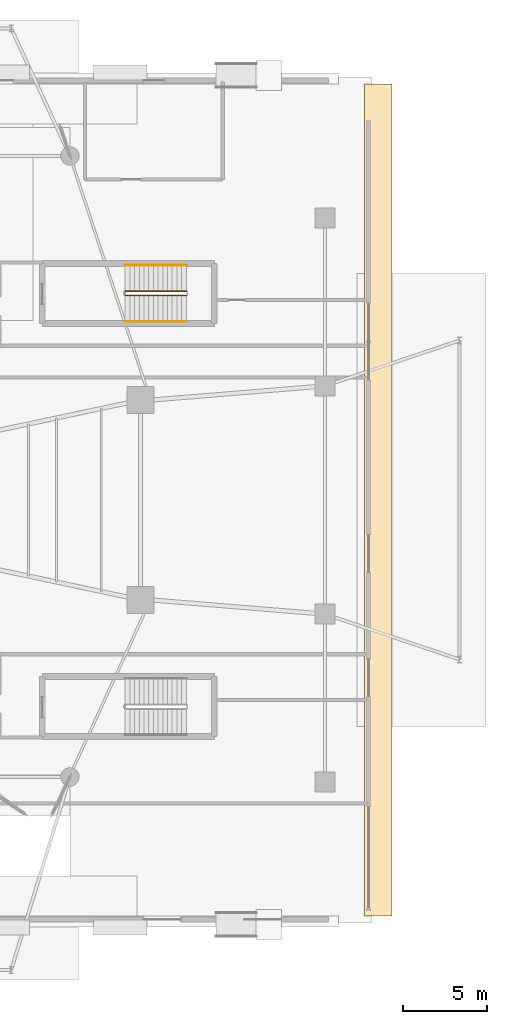
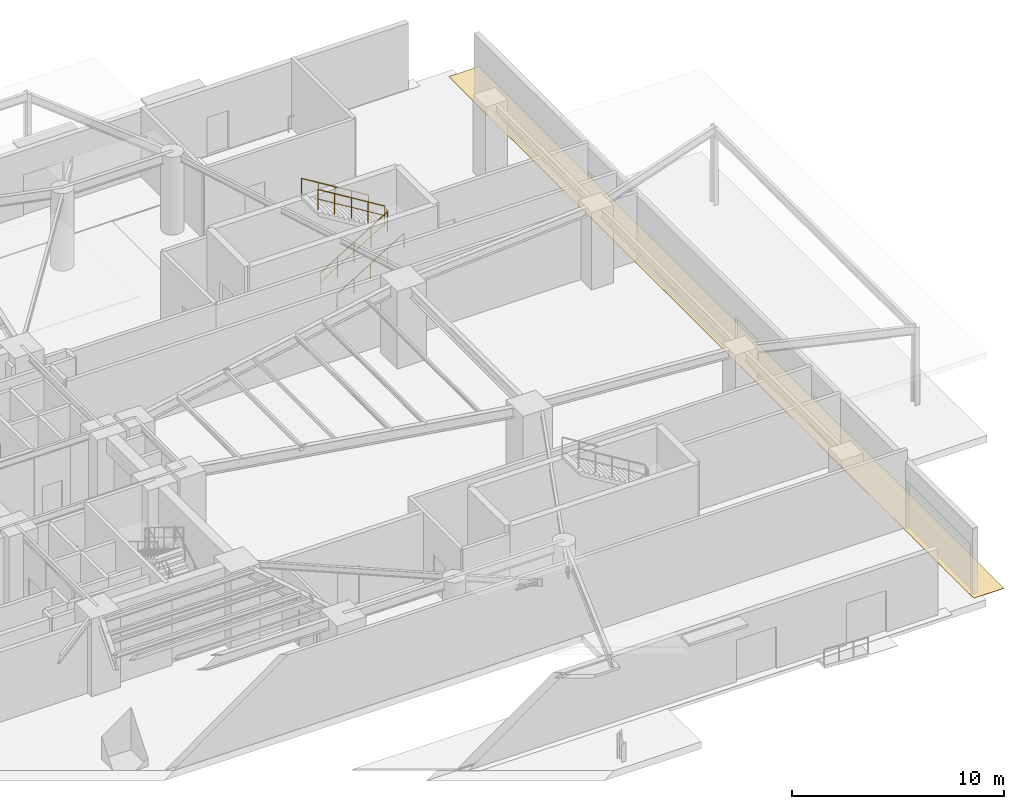
# One storey, part 29 of 31: 4 railings, 1 covering.
"""IFC4 building model written with IfcOpenShell, lengths in metres."""

from ifc_helpers import new_model, si_unit, direction, frame, origin, origin_2d, place, context, subcontext, project, spatial, polyline, circle, outline, extrude, material, layer, layer_set, type_object, element, save


model = new_model("IFC4")

# Units and contexts
model_context = context("Model", 3, precision=1e-05, world=origin(), true_north=direction((0.0, 1.0)))
body_context = subcontext(model_context, "Body", "Model", "MODEL_VIEW")
ifc_project = project(units=[si_unit("LENGTHUNIT", "METRE"), si_unit("AREAUNIT", "SQUARE_METRE"), si_unit("VOLUMEUNIT", "CUBIC_METRE"), si_unit("PLANEANGLEUNIT", "RADIAN"), si_unit("MASSUNIT", "GRAM", prefix="KILO")], contexts=[model_context])

# Site, building, storey
site_placement = place(None, origin())
site = spatial("IfcSite", under=ifc_project, at=site_placement, CompositionType="ELEMENT")
building_placement = place(site_placement, origin())
building = spatial("IfcBuilding", under=site, at=building_placement, Name="Sahyath Konkavel Grand Hotel", CompositionType="ELEMENT")
storey_placement = place(building_placement, origin())
storey = spatial("IfcBuildingStorey", under=building, at=storey_placement, Name="L00", CompositionType="ELEMENT", Elevation=0.0)

# Covering
ifc_material_1 = material(Name="Honed Deccan Basalt and Warm Sandstone Flooring", Category="masonry")
ifc_layer = layer(ifc_material_1, 0.02001953125)
ifc_layer_set = layer_set([ifc_layer], Name="Honed Deccan Basalt and Warm Sandstone Flooring")
covering_type = type_object("IfcCoveringType", Name="COV-STONE-FLR", PredefinedType="FLOORING", material=ifc_layer_set)
covering_placement = place(storey_placement, frame((0.0, 0.0, -0.02001953125)))
element("IfcCovering", 1, at=covering_placement, inside=storey, type_object=covering_type, Name="L00 Exterior Sandstone Exit Apron East-Apron", PredefinedType="FLOORING", context=body_context, shape_type="SweptSolid", body=[
    extrude(outline(polyline([(35.550048828125, -24.800048828125), (37.199951171875, -24.800048828125), (37.199951171875, 24.800048828125), (35.550048828125, 24.800048828125), (35.550048828125, -24.800048828125)])), origin(), (0.0, 0.0, 1.0), 0.02001953125),
])

# Railings
ifc_material_2 = material(Name="Steel E350", Category="steel")
railing_type_1 = type_object("IfcRailingType", Name="RLG-STAIR-GRD", PredefinedType="GUARDRAIL", material=ifc_material_2)
railing_1_placement = place(storey_placement, frame((21.2900390625, 12.179931640625, 0.17138671875)))
element("IfcRailing", 2, at=railing_1_placement, inside=storey, type_object=railing_type_1, Name="L00 ST-P2 stair guard 1", PredefinedType="GUARDRAIL", context=body_context, shape_type="SweptSolid", body=[
    extrude(circle(Radius=0.02392578125, at=origin_2d()), frame((0.001708984375, 0.0, 1.177001953125), z_axis=(0.852850264322, 0.0, 0.5221555579), x_axis=(0.0, 1.0, 0.0)), (0.0, 0.0, 1.0), 4.263916015625),
    extrude(circle(Radius=0.01416015625, at=origin_2d()), frame((0.001708984375, 0.0, 0.625), z_axis=(0.852850264322, 0.0, 0.5221555579), x_axis=(0.0, 1.0, 0.0)), (0.0, 0.0, 1.0), 4.263916015625),
    extrude(circle(Radius=0.02099609375, at=origin_2d()), origin(), (0.0, 0.0, 1.0), 1.15185546875),
    extrude(circle(Radius=0.02099609375, at=origin_2d()), frame((0.909912109375, 0.0, 0.55712890625)), (0.0, 0.0, 1.0), 1.15185546875),
    extrude(circle(Radius=0.02099609375, at=origin_2d()), frame((1.81982421875, 0.0, 1.1142578125)), (0.0, 0.0, 1.0), 1.15185546875),
    extrude(circle(Radius=0.02099609375, at=origin_2d()), frame((2.72998046875, 0.0, 1.67138671875)), (0.0, 0.0, 1.0), 1.15185546875),
    extrude(circle(Radius=0.02099609375, at=origin_2d()), frame((3.639892578125, 0.0, 2.228515625)), (0.0, 0.0, 1.0), 1.15185546875),
])
railing_2_placement = place(storey_placement, frame((24.929931640625, 12.43994140625, 2.571533203125)))
element("IfcRailing", 3, at=railing_2_placement, inside=storey, type_object=railing_type_1, Name="L00 ST-P2 stair guard 3", PredefinedType="GUARDRAIL", context=body_context, shape_type="SweptSolid", body=[
    extrude(circle(Radius=0.02392578125, at=origin_2d()), frame((-0.001708984375, 0.0, 1.177001953125), z_axis=(-0.852850264322, 0.0, 0.5221555579), x_axis=(0.0, -1.0, 0.0)), (0.0, 0.0, 1.0), 4.263916015625),
    extrude(circle(Radius=0.01416015625, at=origin_2d()), frame((-0.001708984375, 0.0, 0.625), z_axis=(-0.852850264322, 0.0, 0.5221555579), x_axis=(0.0, -1.0, 0.0)), (0.0, 0.0, 1.0), 4.263916015625),
    extrude(circle(Radius=0.02099609375, at=origin_2d()), origin(), (0.0, 0.0, 1.0), 1.15185546875),
    extrude(circle(Radius=0.02099609375, at=origin_2d()), frame((-0.909912109375, 0.0, 0.55712890625)), (0.0, 0.0, 1.0), 1.15185546875),
    extrude(circle(Radius=0.02099609375, at=origin_2d()), frame((-1.81982421875, 0.0, 1.1142578125)), (0.0, 0.0, 1.0), 1.15185546875),
    extrude(circle(Radius=0.02099609375, at=origin_2d()), frame((-2.72998046875, 0.0, 1.67138671875)), (0.0, 0.0, 1.0), 1.15185546875),
    extrude(circle(Radius=0.02099609375, at=origin_2d()), frame((-3.639892578125, 0.0, 2.228515625)), (0.0, 0.0, 1.0), 1.15185546875),
])
ifc_material_3 = material(Name="Anodised Bronze Aluminium", Category="aluminium")
railing_type_2 = type_object("IfcRailingType", Name="RLG-STAIR-HND", PredefinedType="HANDRAIL", material=ifc_material_3)
railing_3_placement = place(storey_placement, frame((21.2900390625, 10.6298828125, 0.17138671875)))
element("IfcRailing", 4, at=railing_3_placement, inside=storey, type_object=railing_type_2, Name="L00 ST-P2 stair handrail 1", PredefinedType="HANDRAIL", context=body_context, shape_type="SweptSolid", body=[
    extrude(circle(Radius=0.02392578125, at=origin_2d()), frame((0.001708984375, 0.0, 0.876953125), z_axis=(0.852850264322, 0.0, 0.5221555579), x_axis=(0.0, 1.0, 0.0)), (0.0, 0.0, 1.0), 4.263916015625),
    extrude(circle(Radius=0.02099609375, at=origin_2d()), origin(), (0.0, 0.0, 1.0), 0.851806640625),
    extrude(circle(Radius=0.02099609375, at=origin_2d()), frame((0.909912109375, 0.0, 0.55712890625)), (0.0, 0.0, 1.0), 0.851806640625),
    extrude(circle(Radius=0.02099609375, at=origin_2d()), frame((1.81982421875, 0.0, 1.1142578125)), (0.0, 0.0, 1.0), 0.851806640625),
    extrude(circle(Radius=0.02099609375, at=origin_2d()), frame((2.72998046875, 0.0, 1.67138671875)), (0.0, 0.0, 1.0), 0.851806640625),
    extrude(circle(Radius=0.02099609375, at=origin_2d()), frame((3.639892578125, 0.0, 2.228515625)), (0.0, 0.0, 1.0), 0.851806640625),
])
railing_4_placement = place(storey_placement, frame((24.929931640625, 13.989990234375, 2.571533203125)))
element("IfcRailing", 5, at=railing_4_placement, inside=storey, type_object=railing_type_2, Name="L00 ST-P2 stair handrail 2", PredefinedType="HANDRAIL", context=body_context, shape_type="SweptSolid", body=[
    extrude(circle(Radius=0.02392578125, at=origin_2d()), frame((-0.001708984375, 0.0, 0.876953125), z_axis=(-0.852850264322, 0.0, 0.5221555579), x_axis=(0.0, -1.0, 0.0)), (0.0, 0.0, 1.0), 4.263916015625),
    extrude(circle(Radius=0.02099609375, at=origin_2d()), origin(), (0.0, 0.0, 1.0), 0.851806640625),
    extrude(circle(Radius=0.02099609375, at=origin_2d()), frame((-0.909912109375, 0.0, 0.55712890625)), (0.0, 0.0, 1.0), 0.851806640625),
    extrude(circle(Radius=0.02099609375, at=origin_2d()), frame((-1.81982421875, 0.0, 1.1142578125)), (0.0, 0.0, 1.0), 0.851806640625),
    extrude(circle(Radius=0.02099609375, at=origin_2d()), frame((-2.72998046875, 0.0, 1.67138671875)), (0.0, 0.0, 1.0), 0.851806640625),
    extrude(circle(Radius=0.02099609375, at=origin_2d()), frame((-3.639892578125, 0.0, 2.228515625)), (0.0, 0.0, 1.0), 0.851806640625),
])

save(model, "model.ifc")
